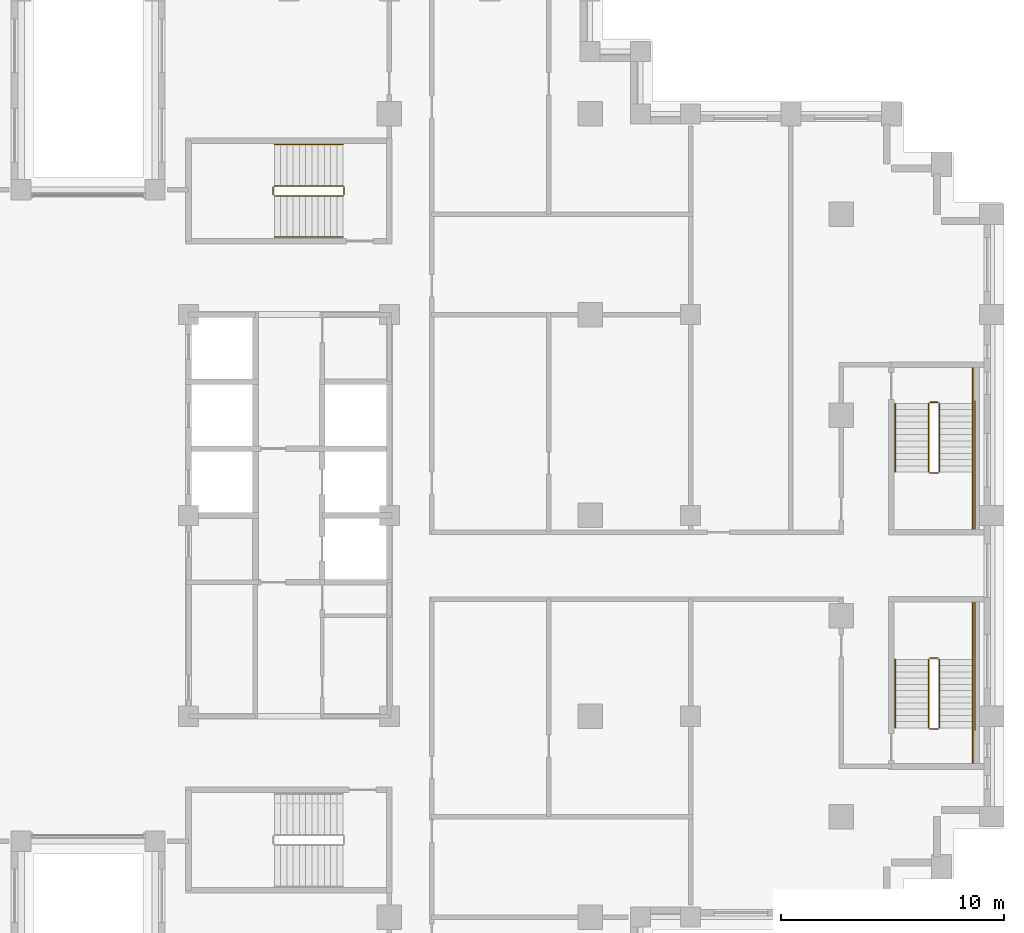
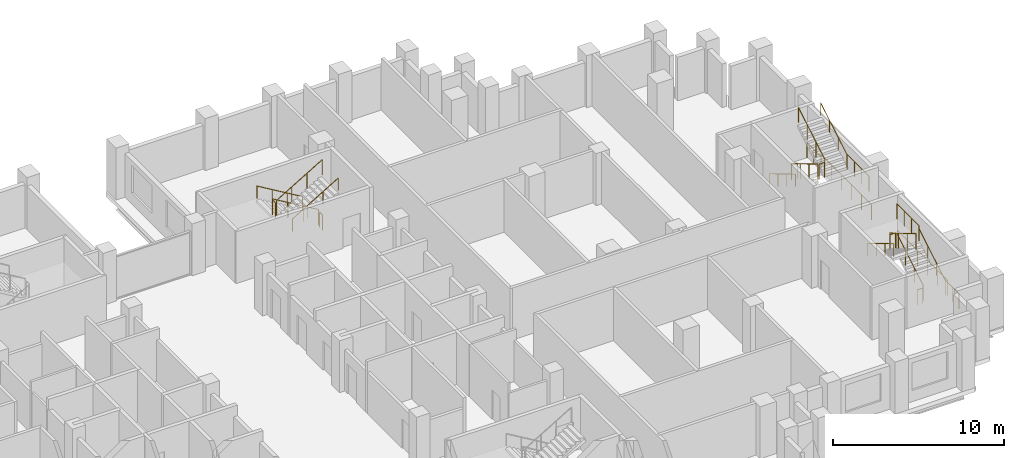
# One storey, part 15 of 15: 3 railings.
"""IFC4 building model written with IfcOpenShell, lengths in metres."""

import ifcopenshell
import ifcopenshell.guid

model = None  # the IFC model being written
_history = None  # IfcOwnerHistory: only IFC2X3 demands one
_inside = {}  # id of a spatial element -> (the spatial element, [elements in it])
_under = {}  # id of a project, library or spatial element -> (it, [spatial elements below it])
_declared = {}  # id of a project -> (the project, [libraries it declares])
_typed = {}  # id of a type object -> (the type object, [elements of that type])
_made_of = {}  # id of a material, layer set ... -> (it, [elements and type objects made of it])


def new_model(schema):
    """Start an empty IFC model of exactly this schema.

    Asked for "IFC4X3", IfcOpenShell would pick the latest addendum, in which some entities
    have other attributes; the version numbers below select the first issue.
    IFC2X3 requires an IfcOwnerHistory on every rooted entity: one is made here for all.
    """
    global model, _history
    if schema == "IFC4X3":
        model = ifcopenshell.file(schema_version=(4, 3, 0, 0))
    else:
        model = ifcopenshell.file(schema=schema)
    _inside.clear()
    _under.clear()
    _declared.clear()
    _typed.clear()
    _made_of.clear()
    _history = None
    if model.schema == "IFC2X3":
        org = make("IfcOrganization", Name="unknown")
        user = make(
            "IfcPersonAndOrganization",
            ThePerson=make("IfcPerson", FamilyName="unknown"),
            TheOrganization=org,
        )
        app = make(
            "IfcApplication",
            ApplicationDeveloper=org,
            Version="unknown",
            ApplicationFullName="unknown",
            ApplicationIdentifier="unknown",
        )
        _history = make(
            "IfcOwnerHistory",
            OwningUser=user,
            OwningApplication=app,
            ChangeAction="ADDED",
            CreationDate=0,
        )
    return model


def make(cls, **values):
    """One entity of the class cls with the attributes given. An attribute that is None is left unset."""
    return model.create_entity(
        cls, **{name: value for name, value in values.items() if value is not None}
    )


def rooted(cls, **values):
    """An entity with a GlobalId (a new one), such as an element, a storey or a relation."""
    return make(cls, GlobalId=ifcopenshell.guid.new(), OwnerHistory=_history, **values)


def si_unit(unit_type, name, prefix=None):
    """IfcSIUnit, for example si_unit("LENGTHUNIT", "METRE", prefix="MILLI")."""
    return make("IfcSIUnit", UnitType=unit_type, Prefix=prefix, Name=name)


def assignment(units):
    """IfcUnitAssignment: the units of a project."""
    return None if units is None else make("IfcUnitAssignment", Units=units)


def point(xyz):
    """IfcCartesianPoint."""
    return None if xyz is None else make("IfcCartesianPoint", Coordinates=xyz)


def direction(xyz):
    """IfcDirection."""
    return None if xyz is None else make("IfcDirection", DirectionRatios=xyz)


def frame(location, z_axis=None, x_axis=None):
    """IfcAxis2Placement3D, a coordinate frame: its origin and axes. An axis left out is left unset."""
    return make(
        "IfcAxis2Placement3D",
        Location=point(location),
        Axis=direction(z_axis),
        RefDirection=direction(x_axis),
    )


def frame_2d(location, x_axis=None):
    """IfcAxis2Placement2D, a coordinate frame in the plane: its origin and x axis."""
    return make(
        "IfcAxis2Placement2D", Location=point(location), RefDirection=direction(x_axis)
    )


def origin():
    """The frame at (0, 0, 0) with its axes left unset."""
    return frame((0.0, 0.0, 0.0))


def origin_2d():
    """The frame at (0, 0) in the plane with its x axis left unset."""
    return frame_2d((0.0, 0.0))


def place(relative_to, where):
    """IfcLocalPlacement: puts the frame where relative to a parent placement (None: the world)."""
    return make(
        "IfcLocalPlacement", PlacementRelTo=relative_to, RelativePlacement=where
    )


def context(
    kind, dimensions, precision=None, world=None, true_north=None, identifier=None
):
    """IfcGeometricRepresentationContext, for example the 3D "Model" context."""
    return make(
        "IfcGeometricRepresentationContext",
        ContextIdentifier=identifier,
        ContextType=kind,
        CoordinateSpaceDimension=dimensions,
        Precision=precision,
        WorldCoordinateSystem=world,
        TrueNorth=true_north,
    )


def subcontext(parent, identifier, kind, view, scale=None):
    """IfcGeometricRepresentationSubContext, for example "Body" below "Model"."""
    return make(
        "IfcGeometricRepresentationSubContext",
        ContextIdentifier=identifier,
        ContextType=kind,
        ParentContext=parent,
        TargetScale=scale,
        TargetView=view,
    )


def project(units=None, contexts=None):
    """IfcProject with its units and contexts."""
    return rooted(
        "IfcProject",
        Name="project",
        RepresentationContexts=contexts,
        UnitsInContext=assignment(units),
    )


def spatial(cls, under=None, at=None, **own):
    """A site, building, storey or space (cls), placed at a placement, below another one or the project."""
    s = rooted(cls, ObjectPlacement=at, **own)
    if under is not None:
        _under.setdefault(under.id(), (under, []))[1].append(s)
    return s


def profile(cls, at=None, kind="AREA", **sizes):
    """A parametric profile (cls). Its sizes go by their IFC names, for example OverallWidth=200.0."""
    return make(cls, ProfileType=kind, Position=at, **sizes)


def circle(**sizes):
    """IfcCircleProfileDef."""
    return profile("IfcCircleProfileDef", **sizes)


def extrude(swept, where, along, depth):
    """IfcExtrudedAreaSolid: the profile swept, set in the frame where, extruded along a direction by depth."""
    return make(
        "IfcExtrudedAreaSolid",
        SweptArea=swept,
        Position=where,
        ExtrudedDirection=direction(along),
        Depth=depth,
    )


def shape(context_of_items, identifier, shape_type, items):
    """IfcShapeRepresentation: the items that make up one representation, for example the "Body"."""
    return make(
        "IfcShapeRepresentation",
        ContextOfItems=context_of_items,
        RepresentationIdentifier=identifier,
        RepresentationType=shape_type,
        Items=items,
    )


def material(Name=None, Category=None):
    """IfcMaterial."""
    return make("IfcMaterial", Name=Name, Category=Category)


def made_of(thing, what):
    """Note that an element or type object is made of a material, layer set ...; save() writes the relation."""
    if what is not None:
        _made_of.setdefault(what.id(), (what, []))[1].append(thing)
    return thing


def type_object(cls, material=None, **own):
    """A type object (cls), such as IfcWallType, which elements share."""
    return made_of(rooted(cls, **own), material)


def element(
    cls,
    number,
    at=None,
    inside=None,
    cuts=None,
    type_object=None,
    material=None,
    context=None,
    identifier="Body",
    shape_type=None,
    held_by="IfcProductDefinitionShape",
    body=None,
    shapes=None,
    **own,
):
    """One element of the class cls, such as IfcWall. Its Tag is "e" and its number.

    at: its placement. inside: the storey or other place that contains it. cuts: it is an
    opening in that element (IfcRelVoidsElement). A single representation is given by context,
    identifier, shape_type and body (its items); several are given by shapes. held_by: the class
    of the entity that holds the representations. save() writes the other relations.
    """
    e = rooted(cls, Tag="e%d" % number, ObjectPlacement=at, **own)
    if body is not None:
        shapes = [shape(context, identifier, shape_type, body)]
    if shapes is not None:
        e.Representation = make(held_by, Representations=shapes)
    if inside is not None:
        _inside.setdefault(inside.id(), (inside, []))[1].append(e)
    if cuts is not None:
        rooted(
            "IfcRelVoidsElement", RelatingBuildingElement=cuts, RelatedOpeningElement=e
        )
    if type_object is not None:
        _typed.setdefault(type_object.id(), (type_object, []))[1].append(e)
    return made_of(e, material)


def aggregate(whole, parts):
    """IfcRelAggregates: a whole, such as a stair, and the parts it consists of."""
    return rooted("IfcRelAggregates", RelatingObject=whole, RelatedObjects=parts)


def save(model, path):
    """Write the relations noted so far, then the file.

    IfcRelAggregates (storeys below a building ...), IfcRelContainedInSpatialStructure (elements
    in a storey), IfcRelDefinesByType, IfcRelAssociatesMaterial and IfcRelDeclares: one each for
    every whole, place, type object, material and project.
    """
    for whole, parts in _under.values():
        aggregate(whole, parts)
    for where, things in _inside.values():
        rooted(
            "IfcRelContainedInSpatialStructure",
            RelatedElements=things,
            RelatingStructure=where,
        )
    for kind, things in _typed.values():
        rooted("IfcRelDefinesByType", RelatedObjects=things, RelatingType=kind)
    for what, things in _made_of.values():
        rooted("IfcRelAssociatesMaterial", RelatedObjects=things, RelatingMaterial=what)
    for by, libraries in _declared.values():
        rooted("IfcRelDeclares", RelatingContext=by, RelatedDefinitions=libraries)
    model.write(path)


model = new_model("IFC4")

# Units and contexts
model_context = context("Model", 3, precision=1e-05, world=origin(), true_north=direction((0.0, 1.0)))
body_context = subcontext(model_context, "Body", "Model", "MODEL_VIEW")
ifc_project = project(units=[si_unit("LENGTHUNIT", "METRE"), si_unit("AREAUNIT", "SQUARE_METRE"), si_unit("VOLUMEUNIT", "CUBIC_METRE"), si_unit("PLANEANGLEUNIT", "RADIAN"), si_unit("MASSUNIT", "GRAM", prefix="KILO")], contexts=[model_context])

# Site, building, storey
site_placement = place(None, origin())
site = spatial("IfcSite", under=ifc_project, at=site_placement, CompositionType="ELEMENT")
building_placement = place(site_placement, origin())
building = spatial("IfcBuilding", under=site, at=building_placement, Name="Corbelhall Arena Tower", CompositionType="ELEMENT")
storey_placement = place(building_placement, frame((0.0, 0.0, 130.0)))
storey = spatial("IfcBuildingStorey", under=building, at=storey_placement, Name="L24", CompositionType="ELEMENT", Elevation=130.0)

# Railings
ifc_material = material(Name="Steel ASTM A500 Gr C", Category="steel")
railing_type = type_object("IfcRailingType", Name="IN-GD-1100", PredefinedType="GUARDRAIL", material=ifc_material)
railing_1_placement = place(storey_placement, frame((11.425048828125, 14.77490234375, 0.166748046875)))
element("IfcRailing", 1, at=railing_1_placement, inside=storey, type_object=railing_type, Name="L24 ST3 stair guards and handrails", PredefinedType="GUARDRAIL", context=body_context, shape_type="SweptSolid", body=[
    extrude(circle(Radius=0.02392578125, at=origin_2d()), frame((0.0, 0.0, 1.076171875), z_axis=(-0.859308565015, 0.0, 0.511457515432), x_axis=(0.0, -1.0, 0.0)), (0.0, 0.0, 1.0), 3.58447265625),
    extrude(circle(Radius=0.02392578125, at=origin_2d()), frame((-3.130126953125, -0.0498046875, 2.9091796875), z_axis=(0.0, -1.0, 0.0), x_axis=(1.0, 0.0, 0.0)), (0.0, 0.0, 1.0), 0.35009765625),
    extrude(circle(Radius=0.02392578125, at=origin_2d()), frame((-3.080078125, -0.449951171875, 3.076171875), z_axis=(0.859308565015, 0.0, 0.511457515432), x_axis=(0.0, 1.0, 0.0)), (0.0, 0.0, 1.0), 3.58447265625),
    extrude(circle(Radius=0.02392578125, at=origin_2d()), frame((0.050048828125, -0.0498046875, 0.9091796875), z_axis=(0.0, -1.0, 0.0), x_axis=(1.0, 0.0, 0.0)), (0.0, 0.0, 1.0), 0.35009765625),
    extrude(circle(Radius=0.02392578125, at=origin_2d()), frame((0.0, 1.85009765625, 0.8759765625), z_axis=(-0.859308565015, 0.0, 0.511457515432), x_axis=(0.0, -1.0, 0.0)), (0.0, 0.0, 1.0), 3.58447265625),
    extrude(circle(Radius=0.02392578125, at=origin_2d()), frame((-3.080078125, -2.2998046875, 2.8759765625), z_axis=(0.859308565015, 0.0, 0.511457515432), x_axis=(0.0, 1.0, 0.0)), (0.0, 0.0, 1.0), 3.58447265625),
    extrude(circle(Radius=0.02099609375, at=origin_2d()), origin(), (0.0, 0.0, 1.0), 1.052001953125),
    extrude(circle(Radius=0.02099609375, at=origin_2d()), frame((-1.026611328125, 0.0, 0.611083984375)), (0.0, 0.0, 1.0), 1.052001953125),
    extrude(circle(Radius=0.02099609375, at=origin_2d()), frame((-2.053466796875, 0.0, 1.22216796875)), (0.0, 0.0, 1.0), 1.052001953125),
    extrude(circle(Radius=0.02099609375, at=origin_2d()), frame((-3.080078125, 0.0, 1.833251953125)), (0.0, 0.0, 1.0), 1.052001953125),
    extrude(circle(Radius=0.02099609375, at=origin_2d()), frame((-3.130126953125, -0.0498046875, 1.833251953125)), (0.0, 0.0, 1.0), 1.052001953125),
    extrude(circle(Radius=0.02099609375, at=origin_2d()), frame((-3.130126953125, -0.39990234375, 1.833251953125)), (0.0, 0.0, 1.0), 1.052001953125),
    extrude(circle(Radius=0.02099609375, at=origin_2d()), frame((-3.080078125, -0.449951171875, 2.0)), (0.0, 0.0, 1.0), 1.052001953125),
    extrude(circle(Radius=0.02099609375, at=origin_2d()), frame((-2.053466796875, -0.449951171875, 2.611083984375)), (0.0, 0.0, 1.0), 1.052001953125),
    extrude(circle(Radius=0.02099609375, at=origin_2d()), frame((-1.026611328125, -0.449951171875, 3.22216796875)), (0.0, 0.0, 1.0), 1.052001953125),
    extrude(circle(Radius=0.02099609375, at=origin_2d()), frame((0.0, -0.449951171875, 3.833251953125)), (0.0, 0.0, 1.0), 1.052001953125),
    extrude(circle(Radius=0.02099609375, at=origin_2d()), frame((0.050048828125, -0.0498046875, -0.166748046875)), (0.0, 0.0, 1.0), 1.052001953125),
    extrude(circle(Radius=0.02099609375, at=origin_2d()), frame((0.050048828125, -0.39990234375, -0.166748046875)), (0.0, 0.0, 1.0), 1.052001953125),
    extrude(circle(Radius=0.02099609375, at=origin_2d()), frame((0.0, 1.85009765625, 0.0)), (0.0, 0.0, 1.0), 0.851806640625),
    extrude(circle(Radius=0.02099609375, at=origin_2d()), frame((-1.026611328125, 1.85009765625, 0.611083984375)), (0.0, 0.0, 1.0), 0.851806640625),
    extrude(circle(Radius=0.02099609375, at=origin_2d()), frame((-2.053466796875, 1.85009765625, 1.22216796875)), (0.0, 0.0, 1.0), 0.851806640625),
    extrude(circle(Radius=0.02099609375, at=origin_2d()), frame((-3.080078125, 1.85009765625, 1.833251953125)), (0.0, 0.0, 1.0), 0.851806640625),
    extrude(circle(Radius=0.02099609375, at=origin_2d()), frame((-3.080078125, -2.2998046875, 2.0)), (0.0, 0.0, 1.0), 0.851806640625),
    extrude(circle(Radius=0.02099609375, at=origin_2d()), frame((-2.053466796875, -2.2998046875, 2.611083984375)), (0.0, 0.0, 1.0), 0.851806640625),
    extrude(circle(Radius=0.02099609375, at=origin_2d()), frame((-1.026611328125, -2.2998046875, 3.22216796875)), (0.0, 0.0, 1.0), 0.851806640625),
    extrude(circle(Radius=0.02099609375, at=origin_2d()), frame((0.0, -2.2998046875, 3.833251953125)), (0.0, 0.0, 1.0), 0.851806640625),
])
railing_2_placement = place(storey_placement, frame((38.14990234375, -9.52490234375, 0.166748046875)))
element("IfcRailing", 2, at=railing_2_placement, inside=storey, type_object=railing_type, Name="L24 SD1 stair guards and handrails", PredefinedType="GUARDRAIL", context=body_context, shape_type="SweptSolid", body=[
    extrude(circle(Radius=0.02392578125, at=origin_2d()), frame((0.0, 0.0, 1.076171875), z_axis=(0.0, 0.859290745958, 0.51148745235), x_axis=(-1.0, 0.0, 0.0)), (0.0, 0.0, 1.0), 3.584228515625),
    extrude(circle(Radius=0.02392578125, at=origin_2d()), frame((-0.0498046875, 3.1298828125, 2.9091796875), z_axis=(-1.0, 0.0, 0.0), x_axis=(0.0, -1.0, 0.0)), (0.0, 0.0, 1.0), 0.375),
    extrude(circle(Radius=0.02392578125, at=origin_2d()), frame((1.5, 3.079833984375, 2.9091796875), z_axis=(0.0, 1.0, 0.0), x_axis=(-1.0, 0.0, 0.0)), (0.0, 0.0, 1.0), 2.570068359375),
    extrude(circle(Radius=0.02392578125, at=origin_2d()), frame((-0.474853515625, 3.079833984375, 3.076171875), z_axis=(0.0, -0.859290745958, 0.51148745235), x_axis=(1.0, 0.0, 0.0)), (0.0, 0.0, 1.0), 3.584228515625),
    extrude(circle(Radius=0.02392578125, at=origin_2d()), frame((-0.0498046875, -0.050048828125, 0.9091796875), z_axis=(-1.0, 0.0, 0.0), x_axis=(0.0, -1.0, 0.0)), (0.0, 0.0, 1.0), 0.375),
    extrude(circle(Radius=0.02392578125, at=origin_2d()), frame((1.5, -1.60009765625, 0.9091796875), z_axis=(0.0, 1.0, 0.0), x_axis=(-1.0, 0.0, 0.0)), (0.0, 0.0, 1.0), 1.60009765625),
    extrude(circle(Radius=0.02392578125, at=origin_2d()), frame((1.60009765625, -0.10009765625, 0.9091796875), z_axis=(0.0, 1.0, 0.0), x_axis=(-1.0, 0.0, 0.0)), (0.0, 0.0, 1.0), 5.85009765625),
    extrude(circle(Radius=0.02392578125, at=origin_2d()), frame((1.5, 0.0, 0.8759765625), z_axis=(0.0, 0.859290745958, 0.51148745235), x_axis=(-1.0, 0.0, 0.0)), (0.0, 0.0, 1.0), 3.584228515625),
    extrude(circle(Radius=0.02392578125, at=origin_2d()), frame((-1.974853515625, 3.079833984375, 2.8759765625), z_axis=(0.0, -0.859290745958, 0.51148745235), x_axis=(1.0, 0.0, 0.0)), (0.0, 0.0, 1.0), 3.584228515625),
    extrude(circle(Radius=0.02099609375, at=origin_2d()), origin(), (0.0, 0.0, 1.0), 1.052001953125),
    extrude(circle(Radius=0.02099609375, at=origin_2d()), frame((0.0, 1.026611328125, 0.611083984375)), (0.0, 0.0, 1.0), 1.052001953125),
    extrude(circle(Radius=0.02099609375, at=origin_2d()), frame((0.0, 2.05322265625, 1.22216796875)), (0.0, 0.0, 1.0), 1.052001953125),
    extrude(circle(Radius=0.02099609375, at=origin_2d()), frame((0.0, 3.079833984375, 1.833251953125)), (0.0, 0.0, 1.0), 1.052001953125),
    extrude(circle(Radius=0.02099609375, at=origin_2d()), frame((-0.0498046875, 3.1298828125, 1.833251953125)), (0.0, 0.0, 1.0), 1.052001953125),
    extrude(circle(Radius=0.02099609375, at=origin_2d()), frame((-0.4248046875, 3.1298828125, 1.833251953125)), (0.0, 0.0, 1.0), 1.052001953125),
    extrude(circle(Radius=0.02099609375, at=origin_2d()), frame((1.5, 3.079833984375, 1.833251953125)), (0.0, 0.0, 1.0), 1.052001953125),
    extrude(circle(Radius=0.02099609375, at=origin_2d()), frame((1.5, 3.9365234375, 1.833251953125)), (0.0, 0.0, 1.0), 1.052001953125),
    extrude(circle(Radius=0.02099609375, at=origin_2d()), frame((1.5, 4.793212890625, 1.833251953125)), (0.0, 0.0, 1.0), 1.052001953125),
    extrude(circle(Radius=0.02099609375, at=origin_2d()), frame((1.5, 5.64990234375, 1.833251953125)), (0.0, 0.0, 1.0), 1.052001953125),
    extrude(circle(Radius=0.02099609375, at=origin_2d()), frame((-0.474853515625, 3.079833984375, 2.0)), (0.0, 0.0, 1.0), 1.052001953125),
    extrude(circle(Radius=0.02099609375, at=origin_2d()), frame((-0.474853515625, 2.05322265625, 2.611083984375)), (0.0, 0.0, 1.0), 1.052001953125),
    extrude(circle(Radius=0.02099609375, at=origin_2d()), frame((-0.474853515625, 1.026611328125, 3.22216796875)), (0.0, 0.0, 1.0), 1.052001953125),
    extrude(circle(Radius=0.02099609375, at=origin_2d()), frame((-0.474853515625, 0.0, 3.833251953125)), (0.0, 0.0, 1.0), 1.052001953125),
    extrude(circle(Radius=0.02099609375, at=origin_2d()), frame((-0.0498046875, -0.050048828125, -0.166748046875)), (0.0, 0.0, 1.0), 1.052001953125),
    extrude(circle(Radius=0.02099609375, at=origin_2d()), frame((-0.4248046875, -0.050048828125, -0.166748046875)), (0.0, 0.0, 1.0), 1.052001953125),
    extrude(circle(Radius=0.02099609375, at=origin_2d()), frame((1.5, -1.60009765625, -0.166748046875)), (0.0, 0.0, 1.0), 1.052001953125),
    extrude(circle(Radius=0.02099609375, at=origin_2d()), frame((1.5, -0.800048828125, -0.166748046875)), (0.0, 0.0, 1.0), 1.052001953125),
    extrude(circle(Radius=0.02099609375, at=origin_2d()), frame((1.5, 0.0, -0.166748046875)), (0.0, 0.0, 1.0), 1.052001953125),
    extrude(circle(Radius=0.02099609375, at=origin_2d()), frame((1.60009765625, -0.10009765625, -0.166748046875)), (0.0, 0.0, 1.0), 1.052001953125),
    extrude(circle(Radius=0.02099609375, at=origin_2d()), frame((1.60009765625, 1.06982421875, -0.166748046875)), (0.0, 0.0, 1.0), 1.052001953125),
    extrude(circle(Radius=0.02099609375, at=origin_2d()), frame((1.60009765625, 2.239990234375, -0.166748046875)), (0.0, 0.0, 1.0), 1.052001953125),
    extrude(circle(Radius=0.02099609375, at=origin_2d()), frame((1.60009765625, 3.409912109375, -0.166748046875)), (0.0, 0.0, 1.0), 1.052001953125),
    extrude(circle(Radius=0.02099609375, at=origin_2d()), frame((1.60009765625, 4.580078125, -0.166748046875)), (0.0, 0.0, 1.0), 1.052001953125),
    extrude(circle(Radius=0.02099609375, at=origin_2d()), frame((1.60009765625, 5.75, -0.166748046875)), (0.0, 0.0, 1.0), 1.052001953125),
    extrude(circle(Radius=0.02099609375, at=origin_2d()), frame((1.5, 0.0, 0.0)), (0.0, 0.0, 1.0), 0.851806640625),
    extrude(circle(Radius=0.02099609375, at=origin_2d()), frame((1.5, 1.026611328125, 0.611083984375)), (0.0, 0.0, 1.0), 0.851806640625),
    extrude(circle(Radius=0.02099609375, at=origin_2d()), frame((1.5, 2.05322265625, 1.22216796875)), (0.0, 0.0, 1.0), 0.851806640625),
    extrude(circle(Radius=0.02099609375, at=origin_2d()), frame((-1.974853515625, 3.079833984375, 2.0)), (0.0, 0.0, 1.0), 0.851806640625),
    extrude(circle(Radius=0.02099609375, at=origin_2d()), frame((-1.974853515625, 2.05322265625, 2.611083984375)), (0.0, 0.0, 1.0), 0.851806640625),
    extrude(circle(Radius=0.02099609375, at=origin_2d()), frame((-1.974853515625, 1.026611328125, 3.22216796875)), (0.0, 0.0, 1.0), 0.851806640625),
    extrude(circle(Radius=0.02099609375, at=origin_2d()), frame((-1.974853515625, 0.0, 3.833251953125)), (0.0, 0.0, 1.0), 0.851806640625),
])
railing_3_placement = place(storey_placement, frame((37.675048828125, 5.02490234375, 0.166748046875)))
element("IfcRailing", 3, at=railing_3_placement, inside=storey, type_object=railing_type, Name="L24 SD2 stair guards and handrails", PredefinedType="GUARDRAIL", context=body_context, shape_type="SweptSolid", body=[
    extrude(circle(Radius=0.02392578125, at=origin_2d()), frame((0.0, 0.0, 1.076171875), z_axis=(0.0, -0.859290745958, 0.51148745235), x_axis=(1.0, 0.0, 0.0)), (0.0, 0.0, 1.0), 3.584228515625),
    extrude(circle(Radius=0.02392578125, at=origin_2d()), frame((0.050048828125, -3.1298828125, 2.9091796875), z_axis=(1.0, 0.0, 0.0), x_axis=(0.0, 1.0, 0.0)), (0.0, 0.0, 1.0), 0.375),
    extrude(circle(Radius=0.02392578125, at=origin_2d()), frame((1.974853515625, -3.079833984375, 2.9091796875), z_axis=(0.0, -1.0, 0.0), x_axis=(1.0, 0.0, 0.0)), (0.0, 0.0, 1.0), 2.570068359375),
    extrude(circle(Radius=0.02392578125, at=origin_2d()), frame((0.474853515625, -3.079833984375, 3.076171875), z_axis=(0.0, 0.859290745958, 0.51148745235), x_axis=(-1.0, 0.0, 0.0)), (0.0, 0.0, 1.0), 3.584228515625),
    extrude(circle(Radius=0.02392578125, at=origin_2d()), frame((0.050048828125, 0.050048828125, 0.9091796875), z_axis=(1.0, 0.0, 0.0), x_axis=(0.0, 1.0, 0.0)), (0.0, 0.0, 1.0), 0.375),
    extrude(circle(Radius=0.02392578125, at=origin_2d()), frame((1.974853515625, 1.60009765625, 0.9091796875), z_axis=(0.0, -1.0, 0.0), x_axis=(1.0, 0.0, 0.0)), (0.0, 0.0, 1.0), 1.60009765625),
    extrude(circle(Radius=0.02392578125, at=origin_2d()), frame((2.074951171875, 0.10009765625, 0.9091796875), z_axis=(0.0, -1.0, 0.0), x_axis=(1.0, 0.0, 0.0)), (0.0, 0.0, 1.0), 5.85009765625),
    extrude(circle(Radius=0.02392578125, at=origin_2d()), frame((-1.5, 0.0, 0.8759765625), z_axis=(0.0, -0.859290745958, 0.51148745235), x_axis=(1.0, 0.0, 0.0)), (0.0, 0.0, 1.0), 3.584228515625),
    extrude(circle(Radius=0.02392578125, at=origin_2d()), frame((1.974853515625, -3.079833984375, 2.8759765625), z_axis=(0.0, 0.859290745958, 0.51148745235), x_axis=(-1.0, 0.0, 0.0)), (0.0, 0.0, 1.0), 3.584228515625),
    extrude(circle(Radius=0.02099609375, at=origin_2d()), origin(), (0.0, 0.0, 1.0), 1.052001953125),
    extrude(circle(Radius=0.02099609375, at=origin_2d()), frame((0.0, -1.026611328125, 0.611083984375)), (0.0, 0.0, 1.0), 1.052001953125),
    extrude(circle(Radius=0.02099609375, at=origin_2d()), frame((0.0, -2.05322265625, 1.22216796875)), (0.0, 0.0, 1.0), 1.052001953125),
    extrude(circle(Radius=0.02099609375, at=origin_2d()), frame((0.0, -3.079833984375, 1.833251953125)), (0.0, 0.0, 1.0), 1.052001953125),
    extrude(circle(Radius=0.02099609375, at=origin_2d()), frame((0.050048828125, -3.1298828125, 1.833251953125)), (0.0, 0.0, 1.0), 1.052001953125),
    extrude(circle(Radius=0.02099609375, at=origin_2d()), frame((0.425048828125, -3.1298828125, 1.833251953125)), (0.0, 0.0, 1.0), 1.052001953125),
    extrude(circle(Radius=0.02099609375, at=origin_2d()), frame((1.974853515625, -3.079833984375, 1.833251953125)), (0.0, 0.0, 1.0), 1.052001953125),
    extrude(circle(Radius=0.02099609375, at=origin_2d()), frame((1.974853515625, -3.9365234375, 1.833251953125)), (0.0, 0.0, 1.0), 1.052001953125),
    extrude(circle(Radius=0.02099609375, at=origin_2d()), frame((1.974853515625, -4.793212890625, 1.833251953125)), (0.0, 0.0, 1.0), 1.052001953125),
    extrude(circle(Radius=0.02099609375, at=origin_2d()), frame((1.974853515625, -5.64990234375, 1.833251953125)), (0.0, 0.0, 1.0), 1.052001953125),
    extrude(circle(Radius=0.02099609375, at=origin_2d()), frame((0.474853515625, -3.079833984375, 2.0)), (0.0, 0.0, 1.0), 1.052001953125),
    extrude(circle(Radius=0.02099609375, at=origin_2d()), frame((0.474853515625, -2.05322265625, 2.611083984375)), (0.0, 0.0, 1.0), 1.052001953125),
    extrude(circle(Radius=0.02099609375, at=origin_2d()), frame((0.474853515625, -1.026611328125, 3.22216796875)), (0.0, 0.0, 1.0), 1.052001953125),
    extrude(circle(Radius=0.02099609375, at=origin_2d()), frame((0.474853515625, 0.0, 3.833251953125)), (0.0, 0.0, 1.0), 1.052001953125),
    extrude(circle(Radius=0.02099609375, at=origin_2d()), frame((0.050048828125, 0.050048828125, -0.166748046875)), (0.0, 0.0, 1.0), 1.052001953125),
    extrude(circle(Radius=0.02099609375, at=origin_2d()), frame((0.425048828125, 0.050048828125, -0.166748046875)), (0.0, 0.0, 1.0), 1.052001953125),
    extrude(circle(Radius=0.02099609375, at=origin_2d()), frame((1.974853515625, 1.60009765625, -0.166748046875)), (0.0, 0.0, 1.0), 1.052001953125),
    extrude(circle(Radius=0.02099609375, at=origin_2d()), frame((1.974853515625, 0.800048828125, -0.166748046875)), (0.0, 0.0, 1.0), 1.052001953125),
    extrude(circle(Radius=0.02099609375, at=origin_2d()), frame((1.974853515625, 0.0, -0.166748046875)), (0.0, 0.0, 1.0), 1.052001953125),
    extrude(circle(Radius=0.02099609375, at=origin_2d()), frame((2.074951171875, 0.10009765625, -0.166748046875)), (0.0, 0.0, 1.0), 1.052001953125),
    extrude(circle(Radius=0.02099609375, at=origin_2d()), frame((2.074951171875, -1.06982421875, -0.166748046875)), (0.0, 0.0, 1.0), 1.052001953125),
    extrude(circle(Radius=0.02099609375, at=origin_2d()), frame((2.074951171875, -2.239990234375, -0.166748046875)), (0.0, 0.0, 1.0), 1.052001953125),
    extrude(circle(Radius=0.02099609375, at=origin_2d()), frame((2.074951171875, -3.409912109375, -0.166748046875)), (0.0, 0.0, 1.0), 1.052001953125),
    extrude(circle(Radius=0.02099609375, at=origin_2d()), frame((2.074951171875, -4.580078125, -0.166748046875)), (0.0, 0.0, 1.0), 1.052001953125),
    extrude(circle(Radius=0.02099609375, at=origin_2d()), frame((2.074951171875, -5.75, -0.166748046875)), (0.0, 0.0, 1.0), 1.052001953125),
    extrude(circle(Radius=0.02099609375, at=origin_2d()), frame((-1.5, 0.0, 0.0)), (0.0, 0.0, 1.0), 0.851806640625),
    extrude(circle(Radius=0.02099609375, at=origin_2d()), frame((-1.5, -1.026611328125, 0.611083984375)), (0.0, 0.0, 1.0), 0.851806640625),
    extrude(circle(Radius=0.02099609375, at=origin_2d()), frame((-1.5, -2.05322265625, 1.22216796875)), (0.0, 0.0, 1.0), 0.851806640625),
    extrude(circle(Radius=0.02099609375, at=origin_2d()), frame((-1.5, -3.079833984375, 1.833251953125)), (0.0, 0.0, 1.0), 0.851806640625),
    extrude(circle(Radius=0.02099609375, at=origin_2d()), frame((1.974853515625, -3.079833984375, 2.0)), (0.0, 0.0, 1.0), 0.851806640625),
    extrude(circle(Radius=0.02099609375, at=origin_2d()), frame((1.974853515625, -2.05322265625, 2.611083984375)), (0.0, 0.0, 1.0), 0.851806640625),
    extrude(circle(Radius=0.02099609375, at=origin_2d()), frame((1.974853515625, -1.026611328125, 3.22216796875)), (0.0, 0.0, 1.0), 0.851806640625),
    extrude(circle(Radius=0.02099609375, at=origin_2d()), frame((1.974853515625, 0.0, 3.833251953125)), (0.0, 0.0, 1.0), 0.851806640625),
])

save(model, "model.ifc")
